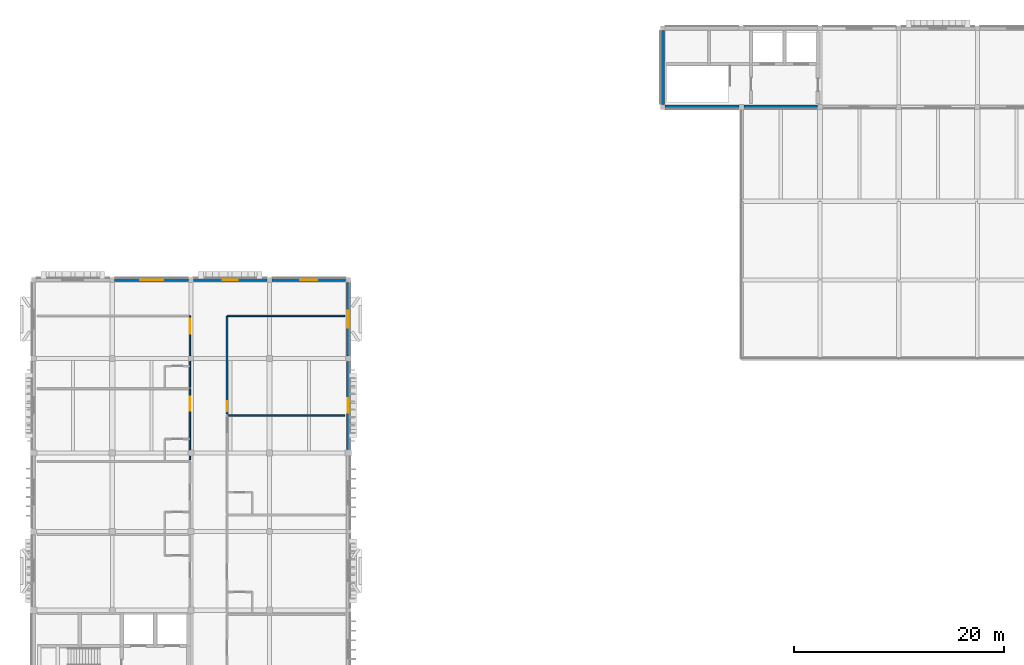
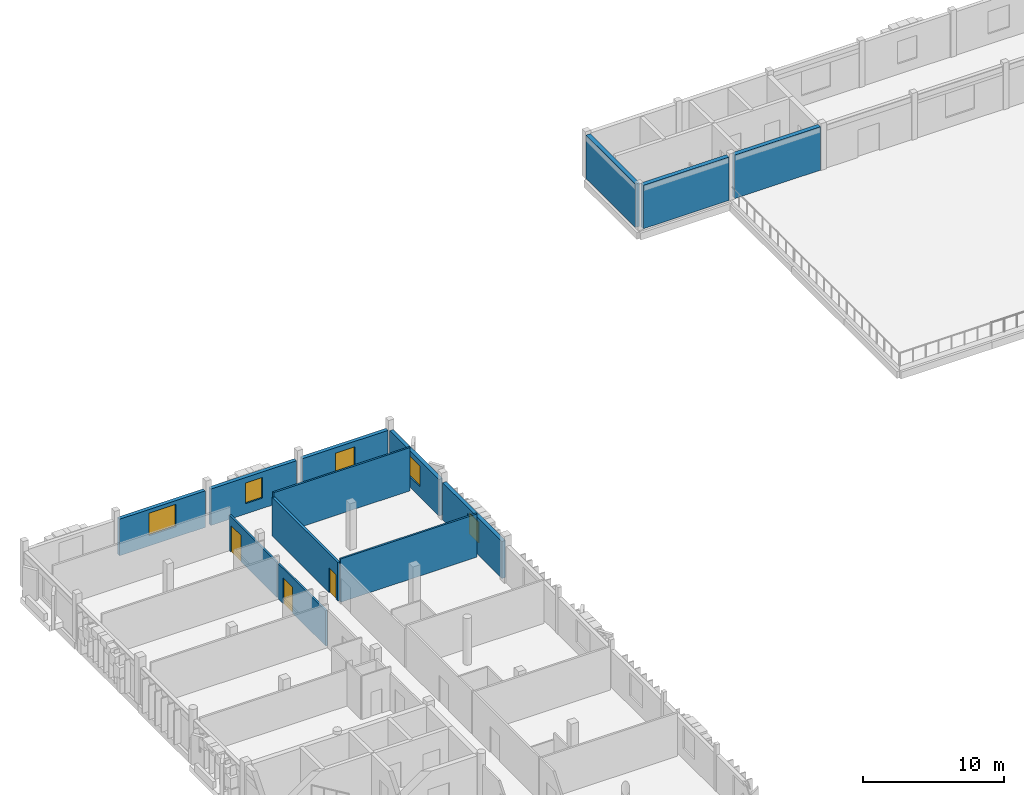
# One storey, part 16 of 33: 13 walls, 5 windows, 3 doors, 8 openings.
"""IFC4 building model written with IfcOpenShell, lengths in metres."""

import ifcopenshell
import ifcopenshell.guid

model = None  # the IFC model being written
_history = None  # IfcOwnerHistory: only IFC2X3 demands one
_inside = {}  # id of a spatial element -> (the spatial element, [elements in it])
_under = {}  # id of a project, library or spatial element -> (it, [spatial elements below it])
_declared = {}  # id of a project -> (the project, [libraries it declares])
_typed = {}  # id of a type object -> (the type object, [elements of that type])
_made_of = {}  # id of a material, layer set ... -> (it, [elements and type objects made of it])


def new_model(schema):
    """Start an empty IFC model of exactly this schema.

    Asked for "IFC4X3", IfcOpenShell would pick the latest addendum, in which some entities
    have other attributes; the version numbers below select the first issue.
    IFC2X3 requires an IfcOwnerHistory on every rooted entity: one is made here for all.
    """
    global model, _history
    if schema == "IFC4X3":
        model = ifcopenshell.file(schema_version=(4, 3, 0, 0))
    else:
        model = ifcopenshell.file(schema=schema)
    _inside.clear()
    _under.clear()
    _declared.clear()
    _typed.clear()
    _made_of.clear()
    _history = None
    if model.schema == "IFC2X3":
        org = make("IfcOrganization", Name="unknown")
        user = make(
            "IfcPersonAndOrganization",
            ThePerson=make("IfcPerson", FamilyName="unknown"),
            TheOrganization=org,
        )
        app = make(
            "IfcApplication",
            ApplicationDeveloper=org,
            Version="unknown",
            ApplicationFullName="unknown",
            ApplicationIdentifier="unknown",
        )
        _history = make(
            "IfcOwnerHistory",
            OwningUser=user,
            OwningApplication=app,
            ChangeAction="ADDED",
            CreationDate=0,
        )
    return model


def make(cls, **values):
    """One entity of the class cls with the attributes given. An attribute that is None is left unset."""
    return model.create_entity(
        cls, **{name: value for name, value in values.items() if value is not None}
    )


def rooted(cls, **values):
    """An entity with a GlobalId (a new one), such as an element, a storey or a relation."""
    return make(cls, GlobalId=ifcopenshell.guid.new(), OwnerHistory=_history, **values)


def si_unit(unit_type, name, prefix=None):
    """IfcSIUnit, for example si_unit("LENGTHUNIT", "METRE", prefix="MILLI")."""
    return make("IfcSIUnit", UnitType=unit_type, Prefix=prefix, Name=name)


def assignment(units):
    """IfcUnitAssignment: the units of a project."""
    return None if units is None else make("IfcUnitAssignment", Units=units)


def point(xyz):
    """IfcCartesianPoint."""
    return None if xyz is None else make("IfcCartesianPoint", Coordinates=xyz)


def direction(xyz):
    """IfcDirection."""
    return None if xyz is None else make("IfcDirection", DirectionRatios=xyz)


def frame(location, z_axis=None, x_axis=None):
    """IfcAxis2Placement3D, a coordinate frame: its origin and axes. An axis left out is left unset."""
    return make(
        "IfcAxis2Placement3D",
        Location=point(location),
        Axis=direction(z_axis),
        RefDirection=direction(x_axis),
    )


def frame_2d(location, x_axis=None):
    """IfcAxis2Placement2D, a coordinate frame in the plane: its origin and x axis."""
    return make(
        "IfcAxis2Placement2D", Location=point(location), RefDirection=direction(x_axis)
    )


def origin():
    """The frame at (0, 0, 0) with its axes left unset."""
    return frame((0.0, 0.0, 0.0))


def place(relative_to, where):
    """IfcLocalPlacement: puts the frame where relative to a parent placement (None: the world)."""
    return make(
        "IfcLocalPlacement", PlacementRelTo=relative_to, RelativePlacement=where
    )


def context(
    kind, dimensions, precision=None, world=None, true_north=None, identifier=None
):
    """IfcGeometricRepresentationContext, for example the 3D "Model" context."""
    return make(
        "IfcGeometricRepresentationContext",
        ContextIdentifier=identifier,
        ContextType=kind,
        CoordinateSpaceDimension=dimensions,
        Precision=precision,
        WorldCoordinateSystem=world,
        TrueNorth=true_north,
    )


def subcontext(parent, identifier, kind, view, scale=None):
    """IfcGeometricRepresentationSubContext, for example "Body" below "Model"."""
    return make(
        "IfcGeometricRepresentationSubContext",
        ContextIdentifier=identifier,
        ContextType=kind,
        ParentContext=parent,
        TargetScale=scale,
        TargetView=view,
    )


def project(units=None, contexts=None):
    """IfcProject with its units and contexts."""
    return rooted(
        "IfcProject",
        Name="project",
        RepresentationContexts=contexts,
        UnitsInContext=assignment(units),
    )


def spatial(cls, under=None, at=None, **own):
    """A site, building, storey or space (cls), placed at a placement, below another one or the project."""
    s = rooted(cls, ObjectPlacement=at, **own)
    if under is not None:
        _under.setdefault(under.id(), (under, []))[1].append(s)
    return s


def profile(cls, at=None, kind="AREA", **sizes):
    """A parametric profile (cls). Its sizes go by their IFC names, for example OverallWidth=200.0."""
    return make(cls, ProfileType=kind, Position=at, **sizes)


def rectangle(**sizes):
    """IfcRectangleProfileDef."""
    return profile("IfcRectangleProfileDef", **sizes)


def extrude(swept, where, along, depth):
    """IfcExtrudedAreaSolid: the profile swept, set in the frame where, extruded along a direction by depth."""
    return make(
        "IfcExtrudedAreaSolid",
        SweptArea=swept,
        Position=where,
        ExtrudedDirection=direction(along),
        Depth=depth,
    )


def shape(context_of_items, identifier, shape_type, items):
    """IfcShapeRepresentation: the items that make up one representation, for example the "Body"."""
    return make(
        "IfcShapeRepresentation",
        ContextOfItems=context_of_items,
        RepresentationIdentifier=identifier,
        RepresentationType=shape_type,
        Items=items,
    )


def material(Name=None, Category=None):
    """IfcMaterial."""
    return make("IfcMaterial", Name=Name, Category=Category)


def layer(
    of_material, thickness, ventilated=None, Name=None, Category=None, Priority=None
):
    """IfcMaterialLayer: one layer of a wall or slab, of a material (None: an air gap)."""
    return make(
        "IfcMaterialLayer",
        Material=of_material,
        LayerThickness=thickness,
        IsVentilated=ventilated,
        Name=Name,
        Category=Category,
        Priority=Priority,
    )


def layer_set(layers, Name=None):
    """IfcMaterialLayerSet."""
    return make("IfcMaterialLayerSet", MaterialLayers=layers, LayerSetName=Name)


def made_of(thing, what):
    """Note that an element or type object is made of a material, layer set ...; save() writes the relation."""
    if what is not None:
        _made_of.setdefault(what.id(), (what, []))[1].append(thing)
    return thing


def type_object(cls, material=None, **own):
    """A type object (cls), such as IfcWallType, which elements share."""
    return made_of(rooted(cls, **own), material)


def element(
    cls,
    number,
    at=None,
    inside=None,
    cuts=None,
    type_object=None,
    material=None,
    context=None,
    identifier="Body",
    shape_type=None,
    held_by="IfcProductDefinitionShape",
    body=None,
    shapes=None,
    **own,
):
    """One element of the class cls, such as IfcWall. Its Tag is "e" and its number.

    at: its placement. inside: the storey or other place that contains it. cuts: it is an
    opening in that element (IfcRelVoidsElement). A single representation is given by context,
    identifier, shape_type and body (its items); several are given by shapes. held_by: the class
    of the entity that holds the representations. save() writes the other relations.
    """
    e = rooted(cls, Tag="e%d" % number, ObjectPlacement=at, **own)
    if body is not None:
        shapes = [shape(context, identifier, shape_type, body)]
    if shapes is not None:
        e.Representation = make(held_by, Representations=shapes)
    if inside is not None:
        _inside.setdefault(inside.id(), (inside, []))[1].append(e)
    if cuts is not None:
        rooted(
            "IfcRelVoidsElement", RelatingBuildingElement=cuts, RelatedOpeningElement=e
        )
    if type_object is not None:
        _typed.setdefault(type_object.id(), (type_object, []))[1].append(e)
    return made_of(e, material)


def fill(opening, filler):
    """IfcRelFillsElement: the door or window that sits in an opening."""
    return rooted(
        "IfcRelFillsElement",
        RelatingOpeningElement=opening,
        RelatedBuildingElement=filler,
    )


def aggregate(whole, parts):
    """IfcRelAggregates: a whole, such as a stair, and the parts it consists of."""
    return rooted("IfcRelAggregates", RelatingObject=whole, RelatedObjects=parts)


def save(model, path):
    """Write the relations noted so far, then the file.

    IfcRelAggregates (storeys below a building ...), IfcRelContainedInSpatialStructure (elements
    in a storey), IfcRelDefinesByType, IfcRelAssociatesMaterial and IfcRelDeclares: one each for
    every whole, place, type object, material and project.
    """
    for whole, parts in _under.values():
        aggregate(whole, parts)
    for where, things in _inside.values():
        rooted(
            "IfcRelContainedInSpatialStructure",
            RelatedElements=things,
            RelatingStructure=where,
        )
    for kind, things in _typed.values():
        rooted("IfcRelDefinesByType", RelatedObjects=things, RelatingType=kind)
    for what, things in _made_of.values():
        rooted("IfcRelAssociatesMaterial", RelatedObjects=things, RelatingMaterial=what)
    for by, libraries in _declared.values():
        rooted("IfcRelDeclares", RelatingContext=by, RelatedDefinitions=libraries)
    model.write(path)


model = new_model("IFC4")

# Units and contexts
model_context = context("Model", 3, precision=1e-05, world=origin(), true_north=direction((0.0, 1.0)))
body_context = subcontext(model_context, "Body", "Model", "MODEL_VIEW")
ifc_project = project(units=[si_unit("LENGTHUNIT", "METRE"), si_unit("AREAUNIT", "SQUARE_METRE"), si_unit("VOLUMEUNIT", "CUBIC_METRE"), si_unit("PLANEANGLEUNIT", "RADIAN"), si_unit("MASSUNIT", "GRAM", prefix="KILO")], contexts=[model_context])

# Site, building, storey
site_placement = place(None, origin())
site = spatial("IfcSite", under=ifc_project, at=site_placement, CompositionType="ELEMENT")
building_placement = place(site_placement, origin())
building = spatial("IfcBuilding", under=site, at=building_placement, Name="Dalvernix Boulevard General Hospital", CompositionType="ELEMENT")
storey_placement = place(building_placement, frame((0.0, 0.0, 21.89990234375)))
storey = spatial("IfcBuildingStorey", under=building, at=storey_placement, Name="L05", CompositionType="ELEMENT", Elevation=21.89990234375)

# Walls
ifc_material_1 = material(Name="Concrete C40/50", Category="concrete")
ifc_layer_1 = layer(ifc_material_1, 0.35009765625)
ifc_layer_set_1 = layer_set([ifc_layer_1], Name="Concrete C40/50 (WAL-ESW-01)")
wall_type_1 = type_object("IfcWallType", Name="WAL-ESW-01", PredefinedType="SHEAR", material=ifc_layer_set_1)
for number, where, z_axis, x_axis, name in (
    (1, (67.264892578125, 109.5, 0.0), (0.0, 0.0, 1.0), (-1.0, 0.0, 0.0), "L05 core perimeter shear wall S 8-14"),
    (2, (60.0, 109.735107421875, 0.0), (0.0, 0.0, 1.0), (0.0, 1.0, 0.0), "L05 core perimeter shear wall W 8-14"),
    (3, (74.764892578125, 109.5, 0.0), (0.0, 0.0, 1.0), (-1.0, 0.0, 0.0), "L05 core perimeter shear wall S 9-14"),
):
    element("IfcWall", number, at=place(storey_placement, frame(where, z_axis=z_axis, x_axis=x_axis)), inside=storey, type_object=wall_type_1, Name=name, PredefinedType="SHEAR", context=body_context, shape_type="SweptSolid", body=[
        extrude(rectangle(XDim=7.02978515625, YDim=0.35009765625, at=frame_2d((3.514892578125, 0.0))), origin(), (0.0, 0.0, 1.0), 3.77001953125),
    ])

# Wall, opening, window
ifc_material_2 = material(Name="Pressed Catalan clay brick and ceramic spandrel wall C35/45", Category="masonry")
ifc_layer_2 = layer(ifc_material_2, 0.300048828125)
ifc_layer_set_2 = layer_set([ifc_layer_2], Name="Pressed Catalan clay brick and ceramic spandrel wall C35/45 (WAL-EW-02)")
wall_type_2 = type_object("IfcWallType", Name="WAL-EW-02", PredefinedType="STANDARD", material=ifc_layer_set_2)
wall_1_placement = place(storey_placement, frame((7.735107421875, 93.0, 0.0), z_axis=(0.0, 0.0, 1.0), x_axis=(1.0, 0.0, 0.0)))
wall_1 = element("IfcWall", 4, at=wall_1_placement, inside=storey, type_object=wall_type_2, Name="L05 Catalan brick external wall N 1-12", PredefinedType="STANDARD", context=body_context, shape_type="SweptSolid", body=[
    extrude(rectangle(XDim=7.02978515625, YDim=0.300048828125, at=frame_2d((3.514892578125, 0.0))), origin(), (0.0, 0.0, 1.0), 3.170166015625),
])
opening_1_placement = place(wall_1_placement, frame((2.4150390625, 0.0, 0.89990234375)))
opening_1 = element("IfcOpeningElement", 5, at=opening_1_placement, cuts=wall_1, Name="Opening WN-13", PredefinedType="OPENING", context=body_context, shape_type="SweptSolid", body=[
    extrude(rectangle(XDim=2.199951171875, YDim=1.949951171875, at=frame_2d((1.10009765625, 0.97509765625))), frame((0.0, 0.159912109375, 0.0), z_axis=(0.0, -1.0, 0.0), x_axis=(1.0, 0.0, 0.0)), (0.0, 0.0, 1.0), 0.320068359375),
])
ifc_material_3 = material(Name="Thermally broken aluminium frame with solar-control double glazing", Category="aluminium")
window_type_1 = type_object("IfcWindowType", Name="WIN-WN-13", PartitioningType="SINGLE_PANEL", PredefinedType="WINDOW", material=ifc_material_3)
window_1_placement = place(opening_1_placement, origin())
window_1 = element("IfcWindow", 6, at=window_1_placement, inside=storey, type_object=window_type_1, Name="L05 clinical window WN-13 N 1-12", OverallHeight=1.949951171875, OverallWidth=2.199951171875, PartitioningType="SINGLE_PANEL", PredefinedType="WINDOW", context=body_context, shape_type="SweptSolid", body=[
    extrude(rectangle(XDim=2.199951171875, YDim=1.949951171875, at=frame_2d((1.10009765625, 0.97509765625))), frame((0.0, 0.030029296875, 0.0), z_axis=(0.0, -1.0, 0.0), x_axis=(1.0, 0.0, 0.0)), (0.0, 0.0, 1.0), 0.06005859375),
])
fill(opening_1, window_1)

wall_2_placement = place(storey_placement, frame((15.235107421875, 93.0, 0.0), z_axis=(0.0, 0.0, 1.0), x_axis=(1.0, 0.0, 0.0)))
wall_2 = element("IfcWall", 7, at=wall_2_placement, inside=storey, type_object=wall_type_2, Name="L05 Catalan brick external wall N 2-12", PredefinedType="STANDARD", context=body_context, shape_type="SweptSolid", body=[
    extrude(rectangle(XDim=7.02978515625, YDim=0.300048828125, at=frame_2d((3.514892578125, 0.0))), origin(), (0.0, 0.0, 1.0), 3.170166015625),
])
opening_2_placement = place(wall_2_placement, frame((2.81494140625, 0.0, 0.89990234375)))
opening_2 = element("IfcOpeningElement", 8, at=opening_2_placement, cuts=wall_2, Name="Opening WN-14", PredefinedType="OPENING", context=body_context, shape_type="SweptSolid", body=[
    extrude(rectangle(XDim=1.39990234375, YDim=1.800048828125, at=frame_2d((0.699951171875, 0.89990234375))), frame((0.0, 0.159912109375, 0.0), z_axis=(0.0, -1.0, 0.0), x_axis=(1.0, 0.0, 0.0)), (0.0, 0.0, 1.0), 0.320068359375),
])
window_type_2 = type_object("IfcWindowType", Name="WIN-WN-14", PartitioningType="SINGLE_PANEL", PredefinedType="WINDOW", material=ifc_material_3)
window_2_placement = place(opening_2_placement, origin())
window_2 = element("IfcWindow", 9, at=window_2_placement, inside=storey, type_object=window_type_2, Name="L05 clinical window WN-14 N 2-12", OverallHeight=1.800048828125, OverallWidth=1.39990234375, PartitioningType="SINGLE_PANEL", PredefinedType="WINDOW", context=body_context, shape_type="SweptSolid", body=[
    extrude(rectangle(XDim=1.39990234375, YDim=1.800048828125, at=frame_2d((0.699951171875, 0.89990234375))), frame((0.0, 0.030029296875, 0.0), z_axis=(0.0, -1.0, 0.0), x_axis=(1.0, 0.0, 0.0)), (0.0, 0.0, 1.0), 0.06005859375),
])
fill(opening_2, window_2)

wall_3_placement = place(storey_placement, frame((30.0, 85.239990234375, 0.0), z_axis=(0.0, 0.0, 1.0), x_axis=(0.0, -1.0, 0.0)))
wall_3 = element("IfcWall", 10, at=wall_3_placement, inside=storey, type_object=wall_type_2, Name="L05 Catalan brick external wall E 4-10", PredefinedType="STANDARD", context=body_context, shape_type="SweptSolid", body=[
    extrude(rectangle(XDim=8.429931640625, YDim=0.300048828125, at=frame_2d((4.21484375, 0.0))), origin(), (0.0, 0.0, 1.0), 3.22021484375),
])
opening_3_placement = place(wall_3_placement, frame((3.514892578125, 0.0, 0.89990234375)))
opening_3 = element("IfcOpeningElement", 11, at=opening_3_placement, cuts=wall_3, Name="Opening WN-14", PredefinedType="OPENING", context=body_context, shape_type="SweptSolid", body=[
    extrude(rectangle(XDim=1.39990234375, YDim=1.800048828125, at=frame_2d((0.699951171875, 0.89990234375))), frame((0.0, 0.159912109375, 0.0), z_axis=(0.0, -1.0, 0.0), x_axis=(1.0, 0.0, 0.0)), (0.0, 0.0, 1.0), 0.320068359375),
])
window_3_placement = place(opening_3_placement, origin())
window_3 = element("IfcWindow", 12, at=window_3_placement, inside=storey, type_object=window_type_2, Name="L05 clinical window WN-14 E 4-10", OverallHeight=1.800048828125, OverallWidth=1.39990234375, PartitioningType="SINGLE_PANEL", PredefinedType="WINDOW", context=body_context, shape_type="SweptSolid", body=[
    extrude(rectangle(XDim=1.39990234375, YDim=1.800048828125, at=frame_2d((0.699951171875, 0.89990234375))), frame((0.0, 0.030029296875, 0.0), z_axis=(0.0, -1.0, 0.0), x_axis=(1.0, 0.0, 0.0)), (0.0, 0.0, 1.0), 0.06005859375),
])
fill(opening_3, window_3)

wall_4_placement = place(storey_placement, frame((22.735107421875, 93.0, 0.0), z_axis=(0.0, 0.0, 1.0), x_axis=(1.0, 0.0, 0.0)))
wall_4 = element("IfcWall", 13, at=wall_4_placement, inside=storey, type_object=wall_type_2, Name="L05 Catalan brick external wall N 3-12", PredefinedType="STANDARD", context=body_context, shape_type="SweptSolid", body=[
    extrude(rectangle(XDim=7.02978515625, YDim=0.300048828125, at=frame_2d((3.514892578125, 0.0))), origin(), (0.0, 0.0, 1.0), 3.170166015625),
])
opening_4_placement = place(wall_4_placement, frame((2.715087890625, 0.0, 0.89990234375)))
opening_4 = element("IfcOpeningElement", 14, at=opening_4_placement, cuts=wall_4, Name="Opening WN-15", PredefinedType="OPENING", context=body_context, shape_type="SweptSolid", body=[
    extrude(rectangle(XDim=1.60009765625, YDim=1.800048828125, at=frame_2d((0.800048828125, 0.89990234375))), frame((0.0, 0.159912109375, 0.0), z_axis=(0.0, -1.0, 0.0), x_axis=(1.0, 0.0, 0.0)), (0.0, 0.0, 1.0), 0.320068359375),
])
window_type_3 = type_object("IfcWindowType", Name="WIN-WN-15", PartitioningType="SINGLE_PANEL", PredefinedType="WINDOW", material=ifc_material_3)
window_4_placement = place(opening_4_placement, origin())
window_4 = element("IfcWindow", 15, at=window_4_placement, inside=storey, type_object=window_type_3, Name="L05 clinical window WN-15 N 3-12", OverallHeight=1.800048828125, OverallWidth=1.60009765625, PartitioningType="SINGLE_PANEL", PredefinedType="WINDOW", context=body_context, shape_type="SweptSolid", body=[
    extrude(rectangle(XDim=1.60009765625, YDim=1.800048828125, at=frame_2d((0.800048828125, 0.89990234375))), frame((0.0, 0.030029296875, 0.0), z_axis=(0.0, -1.0, 0.0), x_axis=(1.0, 0.0, 0.0)), (0.0, 0.0, 1.0), 0.06005859375),
])
fill(opening_4, window_4)

wall_5_placement = place(storey_placement, frame((30.0, 92.764892578125, 0.0), z_axis=(0.0, 0.0, 1.0), x_axis=(0.0, -1.0, 0.0)))
wall_5 = element("IfcWall", 16, at=wall_5_placement, inside=storey, type_object=wall_type_2, Name="L05 Catalan brick external wall E 4-11", PredefinedType="STANDARD", context=body_context, shape_type="SweptSolid", body=[
    extrude(rectangle(XDim=7.0048828125, YDim=0.300048828125, at=frame_2d((3.50244140625, 0.0))), origin(), (0.0, 0.0, 1.0), 3.170166015625),
])
opening_5_placement = place(wall_5_placement, frame((2.702392578125, 0.0, 0.89990234375)))
opening_5 = element("IfcOpeningElement", 17, at=opening_5_placement, cuts=wall_5, Name="Opening WN-15", PredefinedType="OPENING", context=body_context, shape_type="SweptSolid", body=[
    extrude(rectangle(XDim=1.60009765625, YDim=1.800048828125, at=frame_2d((0.800048828125, 0.89990234375))), frame((0.0, 0.159912109375, 0.0), z_axis=(0.0, -1.0, 0.0), x_axis=(1.0, 0.0, 0.0)), (0.0, 0.0, 1.0), 0.320068359375),
])
window_5_placement = place(opening_5_placement, origin())
window_5 = element("IfcWindow", 18, at=window_5_placement, inside=storey, type_object=window_type_3, Name="L05 clinical window WN-15 E 4-11", OverallHeight=1.800048828125, OverallWidth=1.60009765625, PartitioningType="SINGLE_PANEL", PredefinedType="WINDOW", context=body_context, shape_type="SweptSolid", body=[
    extrude(rectangle(XDim=1.60009765625, YDim=1.800048828125, at=frame_2d((0.800048828125, 0.89990234375))), frame((0.0, 0.030029296875, 0.0), z_axis=(0.0, -1.0, 0.0), x_axis=(1.0, 0.0, 0.0)), (0.0, 0.0, 1.0), 0.06005859375),
])
fill(opening_5, window_5)

# Wall, opening, door
ifc_material_4 = material(Name="Fire-compartment corridor masonry wall", Category="masonry")
ifc_layer_3 = layer(ifc_material_4, 0.199951171875)
ifc_layer_set_3 = layer_set([ifc_layer_3], Name="Fire-compartment corridor masonry wall (WAL-IW-02)")
wall_type_3 = type_object("IfcWallType", Name="WAL-IW-02", PredefinedType="STANDARD", material=ifc_layer_set_3)
wall_6_placement = place(storey_placement, frame((18.449951171875, 89.570068359375, 0.0), z_axis=(0.0, 0.0, 1.0), x_axis=(0.0, -1.0, 0.0)))
wall_6 = element("IfcWall", 19, at=wall_6_placement, inside=storey, type_object=wall_type_3, Name="L05 Staff WC and Clean Utility L05 corridor wall", PredefinedType="STANDARD", context=body_context, shape_type="SweptSolid", body=[
    extrude(rectangle(XDim=9.333984375, YDim=0.199951171875, at=frame_2d((4.6669921875, 0.0))), origin(), (0.0, 0.0, 1.0), 3.35498046875),
])
opening_6_placement = place(wall_6_placement, frame((8.1337890625, 0.0, 0.0)))
opening_6 = element("IfcOpeningElement", 20, at=opening_6_placement, cuts=wall_6, Name="Opening ID-06", PredefinedType="OPENING", context=body_context, shape_type="SweptSolid", body=[
    extrude(rectangle(XDim=0.949951171875, YDim=2.14990234375, at=frame_2d((0.47509765625, 1.074951171875))), frame((0.0, 0.10986328125, 0.0), z_axis=(0.0, -1.0, 0.0), x_axis=(1.0, 0.0, 0.0)), (0.0, 0.0, 1.0), 0.219970703125),
])
ifc_material_5 = material(Name="Hospital laminate acoustic timber and steel frame", Category="steel")
door_type_1 = type_object("IfcDoorType", Name="DR-ID-06", OperationType="NOTDEFINED", PredefinedType="DOOR", material=ifc_material_5)
door_1_placement = place(opening_6_placement, origin())
door_1 = element("IfcDoor", 21, at=door_1_placement, inside=storey, type_object=door_type_1, Name="L05 Staff WC and Clean Utility L05 door", OperationType="SINGLE_SWING_LEFT", OverallHeight=2.14990234375, OverallWidth=0.949951171875, PredefinedType="DOOR", context=body_context, shape_type="SweptSolid", body=[
    extrude(rectangle(XDim=0.949951171875, YDim=2.14990234375, at=frame_2d((0.47509765625, 1.074951171875))), frame((0.0, 0.02490234375, 0.0), z_axis=(0.0, -1.0, 0.0), x_axis=(1.0, 0.0, 0.0)), (0.0, 0.0, 1.0), 0.050048828125),
])
fill(opening_6, door_1)

ifc_material_6 = material(Name="Acoustic double-stud gypsum inpatient partition")
ifc_layer_4 = layer(ifc_material_6, 0.14990234375)
ifc_layer_set_4 = layer_set([ifc_layer_4], Name="Acoustic double-stud gypsum inpatient partition (WAL-IW-04)")
wall_type_4 = type_object("IfcWallType", Name="WAL-IW-04", PredefinedType="PARTITIONING", material=ifc_layer_set_4)
wall_7_placement = place(storey_placement, frame((14.89990234375, 75.830078125, 0.0), z_axis=(0.0, 0.0, 1.0), x_axis=(0.0, 1.0, 0.0)))
wall_7 = element("IfcWall", 22, at=wall_7_placement, inside=storey, type_object=wall_type_4, Name="L05 Orthopaedic Single Patient Room L05-W09 corridor wall", PredefinedType="PARTITIONING", context=body_context, shape_type="SweptSolid", body=[
    extrude(rectangle(XDim=6.7900390625, YDim=0.14990234375, at=frame_2d((3.39501953125, 0.0))), origin(), (0.0, 0.0, 1.0), 3.05517578125),
])
opening_7_placement = place(wall_7_placement, frame((4.696044921875, 0.0, 0.0)))
opening_7 = element("IfcOpeningElement", 23, at=opening_7_placement, cuts=wall_7, Name="Opening ID-01", PredefinedType="OPENING", context=body_context, shape_type="SweptSolid", body=[
    extrude(rectangle(XDim=1.35009765625, YDim=2.25, at=frame_2d((0.675048828125, 1.125))), frame((0.0, 0.0849609375, 0.0), z_axis=(0.0, -1.0, 0.0), x_axis=(1.0, 0.0, 0.0)), (0.0, 0.0, 1.0), 0.169921875),
])
door_type_2 = type_object("IfcDoorType", Name="DR-ID-01", OperationType="NOTDEFINED", PredefinedType="DOOR", material=ifc_material_5)
door_2_placement = place(opening_7_placement, origin())
door_2 = element("IfcDoor", 24, at=door_2_placement, inside=storey, type_object=door_type_2, Name="L05 Orthopaedic Single Patient Room L05-W09 door", OperationType="SINGLE_SWING_RIGHT", OverallHeight=2.25, OverallWidth=1.35009765625, PredefinedType="DOOR", context=body_context, shape_type="SweptSolid", body=[
    extrude(rectangle(XDim=1.35009765625, YDim=2.25, at=frame_2d((0.675048828125, 1.125))), frame((0.0, 0.02490234375, 0.0), z_axis=(0.0, -1.0, 0.0), x_axis=(1.0, 0.0, 0.0)), (0.0, 0.0, 1.0), 0.050048828125),
])
fill(opening_7, door_2)

wall_8_placement = place(storey_placement, frame((14.89990234375, 82.780029296875, 0.0), z_axis=(0.0, 0.0, 1.0), x_axis=(0.0, 1.0, 0.0)))
wall_8 = element("IfcWall", 25, at=wall_8_placement, inside=storey, type_object=wall_type_4, Name="L05 Four Bed Surgical Recovery Ward L05-W10 corridor wall", PredefinedType="PARTITIONING", context=body_context, shape_type="SweptSolid", body=[
    extrude(rectangle(XDim=6.7900390625, YDim=0.14990234375, at=frame_2d((3.39501953125, 0.0))), origin(), (0.0, 0.0, 1.0), 3.05517578125),
])
opening_8_placement = place(wall_8_placement, frame((5.090087890625, 0.0, 0.0)))
opening_8 = element("IfcOpeningElement", 26, at=opening_8_placement, cuts=wall_8, Name="Opening ID-02", PredefinedType="OPENING", context=body_context, shape_type="SweptSolid", body=[
    extrude(rectangle(XDim=1.449951171875, YDim=2.300048828125, at=frame_2d((0.72509765625, 1.14990234375))), frame((0.0, 0.0849609375, 0.0), z_axis=(0.0, -1.0, 0.0), x_axis=(1.0, 0.0, 0.0)), (0.0, 0.0, 1.0), 0.169921875),
])
door_type_3 = type_object("IfcDoorType", Name="DR-ID-02", OperationType="NOTDEFINED", PredefinedType="DOOR", material=ifc_material_5)
door_3_placement = place(opening_8_placement, origin())
door_3 = element("IfcDoor", 27, at=door_3_placement, inside=storey, type_object=door_type_3, Name="L05 Four Bed Surgical Recovery Ward L05-W10 door", OperationType="SINGLE_SWING_RIGHT", OverallHeight=2.300048828125, OverallWidth=1.449951171875, PredefinedType="DOOR", context=body_context, shape_type="SweptSolid", body=[
    extrude(rectangle(XDim=1.449951171875, YDim=2.300048828125, at=frame_2d((0.72509765625, 1.14990234375))), frame((0.0, 0.02490234375, 0.0), z_axis=(0.0, -1.0, 0.0), x_axis=(1.0, 0.0, 0.0)), (0.0, 0.0, 1.0), 0.050048828125),
])
fill(opening_8, door_3)

# Walls
for number, where, z_axis, x_axis, name in (
    (28, (18.449951171875, 80.076416015625, 0.0), (0.0, 0.0, 1.0), (1.0, 0.0, 0.0), "L05 Single Patient Room L05-E06 partition"),
    (29, (18.449951171875, 89.570068359375, 0.0), (0.0, 0.0, 1.0), (1.0, 0.0, 0.0), "L05 Staff WC and Clean Utility L05 partition"),
):
    element("IfcWall", number, at=place(storey_placement, frame(where, z_axis=z_axis, x_axis=x_axis)), inside=storey, type_object=wall_type_4, Name=name, PredefinedType="PARTITIONING", context=body_context, shape_type="SweptSolid", body=[
        extrude(rectangle(XDim=11.199951171875, YDim=0.14990234375, at=frame_2d((5.60009765625, 0.0))), origin(), (0.0, 0.0, 1.0), 3.755126953125),
    ])

save(model, "model.ifc")
